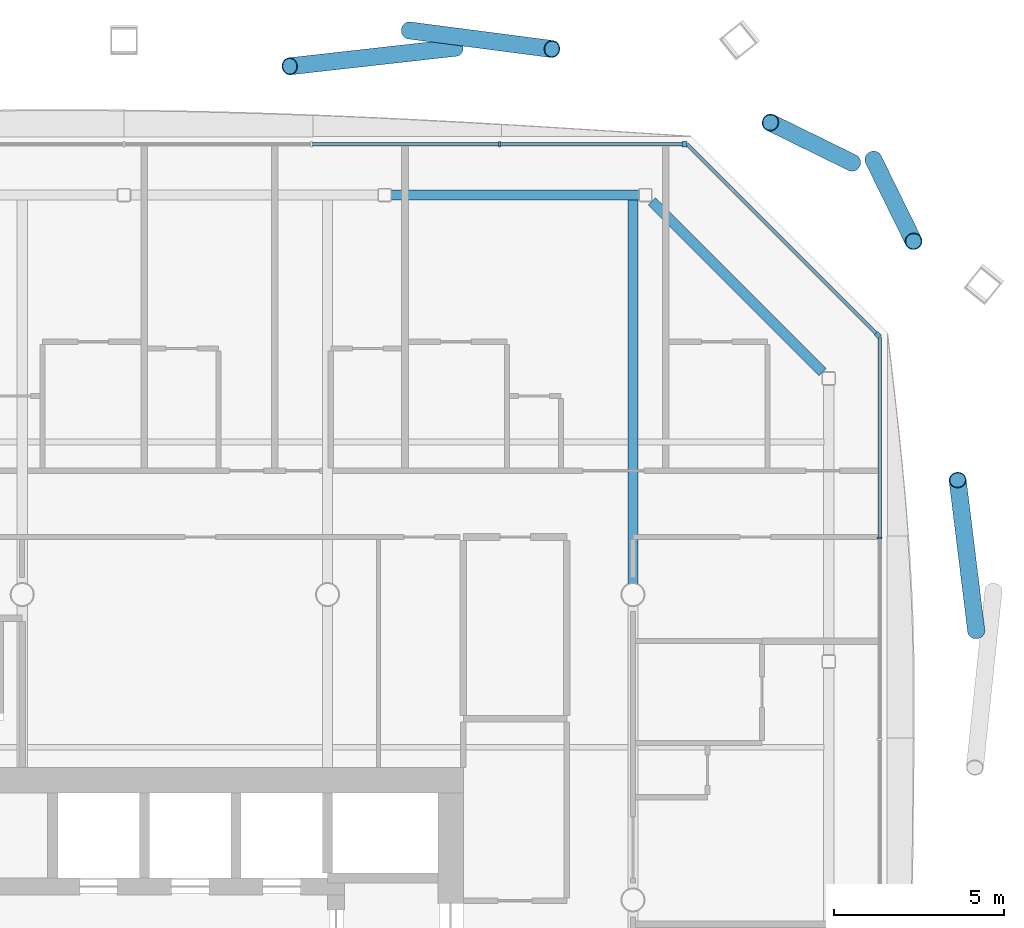
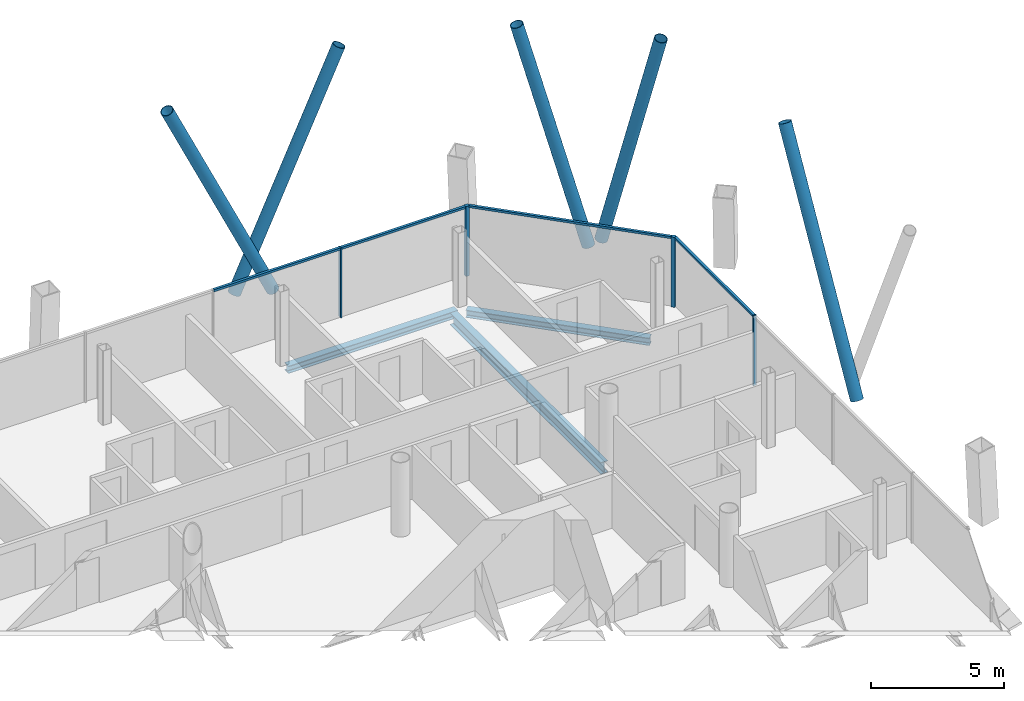
# One storey, part 12 of 23: 13 members, 3 beams, 3 elements without a shape of their own.
"""IFC4 building model written with IfcOpenShell, lengths in metres."""

from ifc_helpers import new_model, si_unit, direction, frame, origin, origin_2d, place, context, subcontext, project, spatial, rectangle, hollow_circle, i_section, extrude, material, material_profile, profile_set, type_object, element, aggregate, save


model = new_model("IFC4")

# Units and contexts
model_context = context("Model", 3, precision=1e-05, world=origin(), true_north=direction((0.0, 1.0)))
body_context = subcontext(model_context, "Body", "Model", "MODEL_VIEW")
ifc_project = project(units=[si_unit("LENGTHUNIT", "METRE"), si_unit("AREAUNIT", "SQUARE_METRE"), si_unit("VOLUMEUNIT", "CUBIC_METRE"), si_unit("PLANEANGLEUNIT", "RADIAN"), si_unit("MASSUNIT", "GRAM", prefix="KILO")], contexts=[model_context])

# Site, building, storey
site_placement = place(None, origin())
site = spatial("IfcSite", under=ifc_project, at=site_placement, CompositionType="ELEMENT")
building_placement = place(site_placement, origin())
building = spatial("IfcBuilding", under=site, at=building_placement, Name="Tskaro Facet Tower", CompositionType="ELEMENT")
storey_placement = place(building_placement, frame((0.0, 0.0, 141.89990234375)))
storey = spatial("IfcBuildingStorey", under=building, at=storey_placement, Name="L34", CompositionType="ELEMENT", Elevation=141.89990234375)

# Members
ifc_material_1 = material(Name="Steel S355J2H", Category="steel")
ifc_material_profile_1 = material_profile(ifc_material_1, hollow_circle(Radius=0.25390625, WallThickness=0.02490234375, at=origin_2d()), Name="CHS 508x25")
ifc_profile_set_1 = profile_set([ifc_material_profile_1], Name="Steel S355J2H")
member_type_1 = type_object("IfcMemberType", Name="CHS 508x25 brace", PredefinedType="BRACE", material=ifc_profile_set_1)
member_1_placement = place(storey_placement, frame((28.117431640625, 7.930908203125, 0.0), z_axis=(-0.049158006866, 0.398940347293, 0.915658282146), x_axis=(-0.992493610246, -0.122296498807, 0.0)))
element("IfcMember", 1, at=member_1_placement, inside=storey, type_object=member_type_1, Name="CHS 508x25 XB05A/3", PredefinedType="BRACE", context=body_context, shape_type="SweptSolid", body=[
    extrude(hollow_circle(Radius=0.25390625, WallThickness=0.02490234375, at=origin_2d()), origin(), (0.0, 0.0, 1.0), 11.1396484375),
])
for number, where, z_axis, x_axis, name in (
    (2, (24.46337890625, 21.727294921875, 0.0), (-0.228652074755, 0.112300826674, 0.967009179397), (-0.440842240367, -0.897584602758, 0.0), "CHS 508x25 XB06A/3"),
    (3, (25.086669921875, 21.822509765625, 0.0), (0.112277973216, -0.228652669016, 0.96701169263), (0.897620553043, 0.440769035612, 0.0), "CHS 508x25 XB06B/3"),
):
    element("IfcMember", number, at=place(storey_placement, frame(where, z_axis=z_axis, x_axis=x_axis)), inside=storey, type_object=member_type_1, Name=name, PredefinedType="BRACE", context=body_context, shape_type="SweptSolid", body=[
        extrude(hollow_circle(Radius=0.25390625, WallThickness=0.02490234375, at=origin_2d()), origin(), (0.0, 0.0, 1.0), 10.548095703125),
    ])
member_2_placement = place(storey_placement, frame((12.76904296875, 25.117431640625, 0.0), z_axis=(-0.431393832831, -0.04836389099, 0.90086641354), x_axis=(0.111412783806, -0.993774215607, 0.0)))
element("IfcMember", 4, at=member_2_placement, inside=storey, type_object=member_type_1, Name="CHS 508x25 XB07A/3", PredefinedType="BRACE", context=body_context, shape_type="SweptSolid", body=[
    extrude(hollow_circle(Radius=0.25390625, WallThickness=0.02490234375, at=origin_2d()), origin(), (0.0, 0.0, 1.0), 11.32275390625),
])
member_3_placement = place(storey_placement, frame((11.409423828125, 25.62548828125, 0.0), z_axis=(0.380649165638, -0.049595118603, 0.923388616407), x_axis=(0.129198883209, 0.991618701204, 0.0)))
element("IfcMember", 5, at=member_3_placement, inside=storey, type_object=member_type_1, Name="CHS 508x25 XB07B/3", PredefinedType="BRACE", context=body_context, shape_type="SweptSolid", body=[
    extrude(hollow_circle(Radius=0.25390625, WallThickness=0.02490234375, at=origin_2d()), origin(), (0.0, 0.0, 1.0), 11.04638671875),
])

# Curtain wall, member
ifc_material_2 = material(Name="Bronze anodised aluminium 6063-T6", Category="aluminium")
curtain_wall_type = type_object("IfcCurtainWallType", Name="Bronze hotel curtain wall (FW2)", PredefinedType="NOTDEFINED", material=ifc_material_2)
curtain_wall_1_placement = place(storey_placement, origin())
curtain_wall_1 = element("IfcCurtainWall", 6, at=curtain_wall_1_placement, inside=storey, type_object=curtain_wall_type, Name="FW2 north-east facet L34", PredefinedType="NOTDEFINED")
ifc_material_profile_2 = material_profile(ifc_material_2, rectangle(XDim=0.14990234375, YDim=0.14990234375, at=origin_2d()), Name="Corner post 150x150")
ifc_profile_set_2 = profile_set([ifc_material_profile_2], Name="Bronze anodised aluminium 6063-T6")
member_type_2 = type_object("IfcMemberType", Name="FW2 bronze corner post 150x150", PredefinedType="MULLION", material=ifc_profile_set_2)
member_4_placement = place(storey_placement, frame((25.218994140625, 16.64501953125, 0.0), z_axis=(0.0, 0.0, 1.0), x_axis=(-0.707106781187, 0.707106781187, 0.0)))
member_4 = element("IfcMember", 7, at=member_4_placement, type_object=member_type_2, Name="FW2 north-east corner post", PredefinedType="MULLION", context=body_context, shape_type="SweptSolid", body=[
    extrude(rectangle(XDim=0.14990234375, YDim=0.14990234375, at=origin_2d()), origin(), (0.0, 0.0, 1.0), 3.2001953125),
])

curtain_wall_2_placement = place(storey_placement, origin())
curtain_wall_2 = element("IfcCurtainWall", 8, at=curtain_wall_2_placement, inside=storey, type_object=curtain_wall_type, Name="FW2 north facet L34", PredefinedType="NOTDEFINED")
member_5_placement = place(storey_placement, frame((19.51708984375, 22.27197265625, 0.0), z_axis=(0.0, 0.0, 1.0), x_axis=(-1.0, 0.0, 0.0)))
member_5 = element("IfcMember", 9, at=member_5_placement, type_object=member_type_2, Name="FW2 north corner post", PredefinedType="MULLION", context=body_context, shape_type="SweptSolid", body=[
    extrude(rectangle(XDim=0.14990234375, YDim=0.14990234375, at=origin_2d()), origin(), (0.0, 0.0, 1.0), 3.2001953125),
])

curtain_wall_3_placement = place(storey_placement, origin())
curtain_wall_3 = element("IfcCurtainWall", 10, at=curtain_wall_3_placement, inside=storey, type_object=curtain_wall_type, Name="FW2 east facet L34", PredefinedType="NOTDEFINED")
ifc_material_profile_3 = material_profile(ifc_material_2, rectangle(XDim=0.06005859375, YDim=0.14990234375, at=origin_2d()), Name="Mullion 60x150")
ifc_profile_set_3 = profile_set([ifc_material_profile_3], Name="Bronze anodised aluminium 6063-T6")
member_type_3 = type_object("IfcMemberType", Name="FW2 bronze mullion 60x150", PredefinedType="MULLION", material=ifc_profile_set_3)
member_6_placement = place(storey_placement, frame((25.27197265625, 10.662841796875, 0.0), z_axis=(0.0, 0.0, 1.0), x_axis=(0.0, 1.0, 0.0)))
member_6 = element("IfcMember", 11, at=member_6_placement, type_object=member_type_3, Name="FW2 east mullion 5", PredefinedType="MULLION", context=body_context, shape_type="SweptSolid", body=[
    extrude(rectangle(XDim=0.06005859375, YDim=0.14990234375, at=origin_2d()), origin(), (0.0, 0.0, 1.0), 3.2001953125),
])

# Member
member_7_placement = place(storey_placement, frame((14.061279296875, 22.27197265625, 0.0), z_axis=(0.0, 0.0, 1.0), x_axis=(-1.0, 0.0, 0.0)))
member_7 = element("IfcMember", 12, at=member_7_placement, type_object=member_type_3, Name="FW2 north mullion 1", PredefinedType="MULLION", context=body_context, shape_type="SweptSolid", body=[
    extrude(rectangle(XDim=0.06005859375, YDim=0.14990234375, at=origin_2d()), origin(), (0.0, 0.0, 1.0), 3.2001953125),
])

ifc_material_profile_4 = material_profile(ifc_material_2, rectangle(XDim=0.110107421875, YDim=0.10009765625, at=origin_2d()), Name="Transom 110x100")
ifc_profile_set_4 = profile_set([ifc_material_profile_4], Name="Bronze anodised aluminium 6063-T6")
member_type_4 = type_object("IfcMemberType", Name="FW2 bronze transom 110x100", PredefinedType="USERDEFINED", material=ifc_profile_set_4)
member_8_placement = place(storey_placement, frame((25.27197265625, 10.69287109375, 3.150146484375), z_axis=(0.0, 1.0, 0.0), x_axis=(-1.0, 0.0, 0.0)))
member_8 = element("IfcMember", 13, at=member_8_placement, type_object=member_type_4, Name="FW2 east transom 6.1", ObjectType="TRANSOM", PredefinedType="USERDEFINED", context=body_context, shape_type="SweptSolid", body=[
    extrude(rectangle(XDim=0.110107421875, YDim=0.10009765625, at=origin_2d()), origin(), (0.0, 0.0, 1.0), 5.899169921875),
])

aggregate(curtain_wall_3, [member_6, member_8])

member_9_placement = place(storey_placement, frame((25.166015625, 16.697998046875, 3.150146484375), z_axis=(-0.707106781187, 0.707106781187, 0.0), x_axis=(-0.707106781187, -0.707106781187, 0.0)))
member_9 = element("IfcMember", 14, at=member_9_placement, type_object=member_type_4, Name="FW2 north-east transom 1.1", ObjectType="TRANSOM", PredefinedType="USERDEFINED", context=body_context, shape_type="SweptSolid", body=[
    extrude(rectangle(XDim=0.110107421875, YDim=0.10009765625, at=origin_2d()), origin(), (0.0, 0.0, 1.0), 7.8828125),
])

aggregate(curtain_wall_1, [member_4, member_9])

member_10_placement = place(storey_placement, frame((19.44189453125, 22.27197265625, 3.150146484375), z_axis=(-1.0, 0.0, 0.0), x_axis=(0.0, -1.0, 0.0)))
member_10 = element("IfcMember", 15, at=member_10_placement, type_object=member_type_4, Name="FW2 north transom 1.1", ObjectType="TRANSOM", PredefinedType="USERDEFINED", context=body_context, shape_type="SweptSolid", body=[
    extrude(rectangle(XDim=0.110107421875, YDim=0.10009765625, at=origin_2d()), origin(), (0.0, 0.0, 1.0), 5.3505859375),
])

member_11_placement = place(storey_placement, frame((14.03125, 22.27197265625, 3.150146484375), z_axis=(-1.0, 0.0, 0.0), x_axis=(0.0, -1.0, 0.0)))
member_11 = element("IfcMember", 16, at=member_11_placement, type_object=member_type_4, Name="FW2 north transom 2.1", ObjectType="TRANSOM", PredefinedType="USERDEFINED", context=body_context, shape_type="SweptSolid", body=[
    extrude(rectangle(XDim=0.110107421875, YDim=0.10009765625, at=origin_2d()), origin(), (0.0, 0.0, 1.0), 5.470703125),
])

aggregate(curtain_wall_2, [member_5, member_7, member_10, member_11])

# Beams
ifc_material_3 = material(Name="Steel S355J2", Category="steel")
ifc_material_profile_5 = material_profile(ifc_material_3, i_section(OverallWidth=0.300048828125, OverallDepth=0.340087890625, WebThickness=0.011962890625, FlangeThickness=0.021484375, FilletRadius=0.027099609375, at=origin_2d()), Name="HE 340 B")
ifc_profile_set_5 = profile_set([ifc_material_profile_5], Name="Steel S355J2")
beam_type_1 = type_object("IfcBeamType", Name="HE 340 B ring beam", PredefinedType="BEAM", material=ifc_profile_set_5)
beam_1_placement = place(storey_placement, frame((23.588134765625, 15.553955078125, -0.309814453125), z_axis=(-0.707106781187, 0.707106781187, 0.0), x_axis=(-0.707106781187, -0.707106781187, 0.0)))
element("IfcBeam", 17, at=beam_1_placement, inside=storey, type_object=beam_type_1, Name="HE 340 B EB10-3", PredefinedType="BEAM", context=body_context, shape_type="SweptSolid", body=[
    extrude(i_section(OverallWidth=0.300048828125, OverallDepth=0.340087890625, WebThickness=0.011962890625, FlangeThickness=0.021484375, FilletRadius=0.027099609375, at=origin_2d()), origin(), (0.0, 0.0, 1.0), 7.119384765625),
])
beam_2_placement = place(storey_placement, frame((18.18798828125, 20.77392578125, -0.309814453125), z_axis=(-1.0, 0.0, 0.0), x_axis=(0.0, -1.0, 0.0)))
element("IfcBeam", 18, at=beam_2_placement, inside=storey, type_object=beam_type_1, Name="HE 340 B EB11-3", PredefinedType="BEAM", context=body_context, shape_type="SweptSolid", body=[
    extrude(i_section(OverallWidth=0.300048828125, OverallDepth=0.340087890625, WebThickness=0.011962890625, FlangeThickness=0.021484375, FilletRadius=0.027099609375, at=origin_2d()), origin(), (0.0, 0.0, 1.0), 7.323974609375),
])
ifc_material_profile_6 = material_profile(ifc_material_3, i_section(OverallWidth=0.300048828125, OverallDepth=0.5400390625, WebThickness=0.012451171875, FlangeThickness=0.02392578125, FilletRadius=0.027099609375, at=origin_2d()), Name="HE 550 A")
ifc_profile_set_6 = profile_set([ifc_material_profile_6], Name="Steel S355J2")
beam_type_2 = type_object("IfcBeamType", Name="HE 550 A long girder", PredefinedType="BEAM", material=ifc_profile_set_6)
beam_3_placement = place(storey_placement, frame((18.0, 9.325439453125, -0.409912109375), z_axis=(0.0, 1.0, 0.0), x_axis=(-1.0, 0.0, 0.0)))
element("IfcBeam", 19, at=beam_3_placement, inside=storey, type_object=beam_type_2, Name="HE 550 A LGB6-4-3", PredefinedType="BEAM", context=body_context, shape_type="SweptSolid", body=[
    extrude(i_section(OverallWidth=0.300048828125, OverallDepth=0.5400390625, WebThickness=0.012451171875, FlangeThickness=0.02392578125, FilletRadius=0.027099609375, at=origin_2d()), origin(), (0.0, 0.0, 1.0), 11.298583984375),
])

save(model, "model.ifc")
